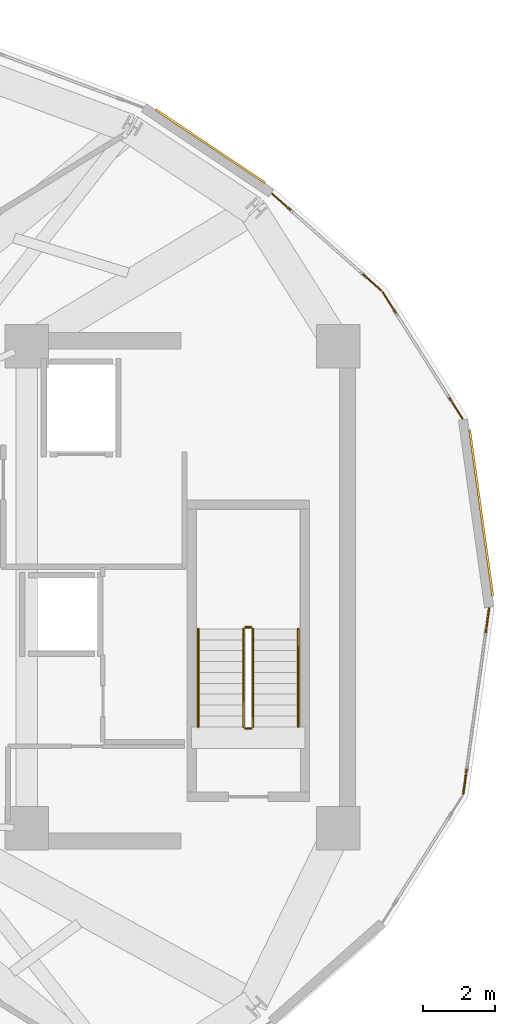
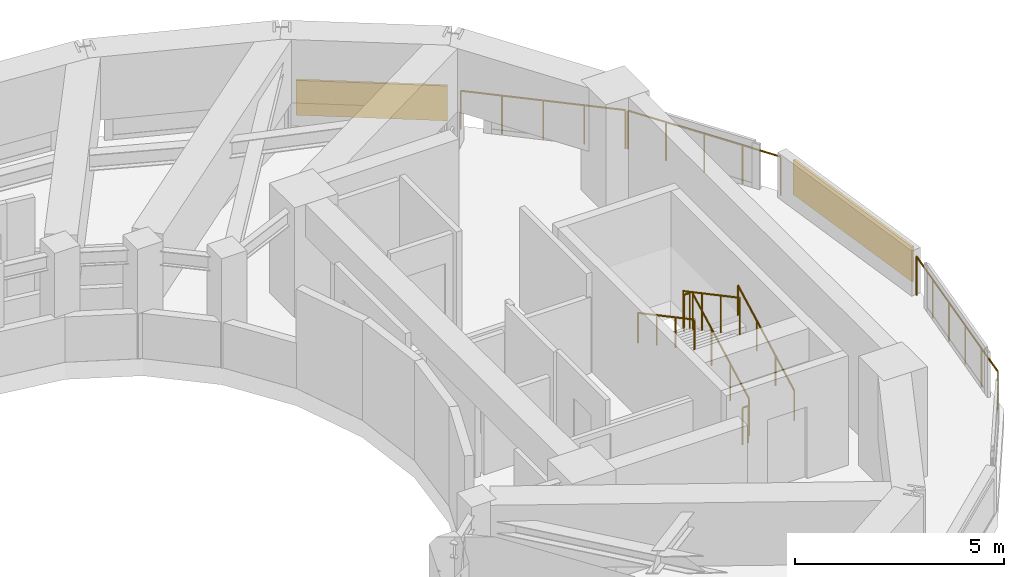
# One storey, part 21 of 21: 9 railings, 2 shading devices.
"""IFC4 building model written with IfcOpenShell, lengths in metres."""

from ifc_helpers import new_model, si_unit, direction, frame, origin, origin_2d, place, context, subcontext, project, spatial, rectangle, circle, extrude, material, layer, layer_set, type_object, element, save


model = new_model("IFC4")

# Units and contexts
model_context = context("Model", 3, precision=1e-05, world=origin(), true_north=direction((0.0, 1.0)))
body_context = subcontext(model_context, "Body", "Model", "MODEL_VIEW")
ifc_project = project(units=[si_unit("LENGTHUNIT", "METRE"), si_unit("AREAUNIT", "SQUARE_METRE"), si_unit("VOLUMEUNIT", "CUBIC_METRE"), si_unit("PLANEANGLEUNIT", "RADIAN"), si_unit("MASSUNIT", "GRAM", prefix="KILO")], contexts=[model_context])

# Site, building, storey
site_placement = place(None, origin())
site = spatial("IfcSite", under=ifc_project, at=site_placement, CompositionType="ELEMENT")
building_placement = place(site_placement, origin())
building = spatial("IfcBuilding", under=site, at=building_placement, Name="Solvane Sanctuary Tower", CompositionType="ELEMENT")
storey_placement = place(building_placement, frame((0.0, 0.0, 260.39990234375)))
storey = spatial("IfcBuildingStorey", under=building, at=storey_placement, Name="L79", CompositionType="ELEMENT", Elevation=260.39990234375)

# Railings
ifc_material_1 = material(Name="Architectural Stainless Steel 316", Category="steel")
railing_type_1 = type_object("IfcRailingType", Name="Railing GR-BALC-1150", PredefinedType="BALUSTRADE", material=ifc_material_1)
railing_1_placement = place(storey_placement, frame((52.123291015625, 28.19970703125, 0.0)))
element("IfcRailing", 1, at=railing_1_placement, inside=storey, type_object=railing_type_1, Name="L79 Crown Curtain-Wall Sill Guard 01", PredefinedType="BALUSTRADE", context=body_context, shape_type="SweptSolid", body=[
    extrude(circle(Radius=0.02392578125, at=origin_2d()), frame((0.0, 0.0, 1.1259765625), z_axis=(-0.533446115447, 0.845834051049, 0.0), x_axis=(-0.845834051049, -0.533446115447, 0.0)), (0.0, 0.0, 1.0), 4.1328125),
    extrude(circle(Radius=0.02099609375, at=origin_2d()), origin(), (0.0, 0.0, 1.0), 1.101806640625),
    extrude(circle(Radius=0.02099609375, at=origin_2d()), frame((-0.55126953125, 0.8740234375, 0.0)), (0.0, 0.0, 1.0), 1.101806640625),
    extrude(circle(Radius=0.02099609375, at=origin_2d()), frame((-1.102294921875, 1.747802734375, 0.0)), (0.0, 0.0, 1.0), 1.101806640625),
    extrude(circle(Radius=0.02099609375, at=origin_2d()), frame((-1.6533203125, 2.62158203125, 0.0)), (0.0, 0.0, 1.0), 1.101806640625),
    extrude(circle(Radius=0.02099609375, at=origin_2d()), frame((-2.20458984375, 3.49560546875, 0.0)), (0.0, 0.0, 1.0), 1.101806640625),
])
railing_2_placement = place(storey_placement, frame((49.880126953125, 31.740478515625, 0.0)))
element("IfcRailing", 2, at=railing_2_placement, inside=storey, type_object=railing_type_1, Name="L79 Crown Curtain-Wall Sill Guard 02", PredefinedType="BALUSTRADE", context=body_context, shape_type="SweptSolid", body=[
    extrude(circle(Radius=0.02392578125, at=origin_2d()), frame((0.0, 0.0, 1.1259765625), z_axis=(-0.748352414239, 0.663301337329, 0.0), x_axis=(-0.663301337329, -0.748352414239, 0.0)), (0.0, 0.0, 1.0), 4.0244140625),
    extrude(circle(Radius=0.02099609375, at=origin_2d()), origin(), (0.0, 0.0, 1.0), 1.101806640625),
    extrude(circle(Radius=0.02099609375, at=origin_2d()), frame((-0.7529296875, 0.66748046875, 0.0)), (0.0, 0.0, 1.0), 1.101806640625),
    extrude(circle(Radius=0.02099609375, at=origin_2d()), frame((-1.505859375, 1.334716796875, 0.0)), (0.0, 0.0, 1.0), 1.101806640625),
    extrude(circle(Radius=0.02099609375, at=origin_2d()), frame((-2.2587890625, 2.001953125, 0.0)), (0.0, 0.0, 1.0), 1.101806640625),
    extrude(circle(Radius=0.02099609375, at=origin_2d()), frame((-3.01171875, 2.66943359375, 0.0)), (0.0, 0.0, 1.0), 1.101806640625),
])
railing_3_placement = place(storey_placement, frame((52.143310546875, 17.85546875, 0.0)))
element("IfcRailing", 3, at=railing_3_placement, inside=storey, type_object=railing_type_1, Name="L79 Crown Curtain-Wall Sill Guard 23", PredefinedType="BALUSTRADE", context=body_context, shape_type="SweptSolid", body=[
    extrude(circle(Radius=0.02392578125, at=origin_2d()), frame((0.0, 0.0, 1.1259765625), z_axis=(0.13799867377, 0.990432413665, 0.0), x_axis=(-0.990432413665, 0.13799867377, 0.0)), (0.0, 0.0, 1.0), 5.1640625),
    extrude(circle(Radius=0.02099609375, at=origin_2d()), origin(), (0.0, 0.0, 1.0), 1.101806640625),
    extrude(circle(Radius=0.02099609375, at=origin_2d()), frame((0.142578125, 1.02294921875, 0.0)), (0.0, 0.0, 1.0), 1.101806640625),
    extrude(circle(Radius=0.02099609375, at=origin_2d()), frame((0.28515625, 2.0458984375, 0.0)), (0.0, 0.0, 1.0), 1.101806640625),
    extrude(circle(Radius=0.02099609375, at=origin_2d()), frame((0.427490234375, 3.06884765625, 0.0)), (0.0, 0.0, 1.0), 1.101806640625),
    extrude(circle(Radius=0.02099609375, at=origin_2d()), frame((0.570068359375, 4.091796875, 0.0)), (0.0, 0.0, 1.0), 1.101806640625),
    extrude(circle(Radius=0.02099609375, at=origin_2d()), frame((0.712646484375, 5.11474609375, 0.0)), (0.0, 0.0, 1.0), 1.101806640625),
])
railing_4_placement = place(storey_placement, frame((46.340087890625, 19.699951171875, 0.16015625)))
element("IfcRailing", 4, at=railing_4_placement, inside=storey, type_object=railing_type_1, Name="L79 ST-2 stair guard 1", PredefinedType="BALUSTRADE", context=body_context, shape_type="SweptSolid", body=[
    extrude(circle(Radius=0.02392578125, at=origin_2d()), frame((0.0, 0.0, 1.076171875), z_axis=(0.0, 0.882357358376, 0.470579952952), x_axis=(-1.0, 0.0, 0.0)), (0.0, 0.0, 1.0), 3.059814453125),
    extrude(circle(Radius=0.02099609375, at=origin_2d()), origin(), (0.0, 0.0, 1.0), 1.052001953125),
    extrude(circle(Radius=0.02099609375, at=origin_2d()), frame((0.0, 0.89990234375, 0.47998046875)), (0.0, 0.0, 1.0), 1.052001953125),
    extrude(circle(Radius=0.02099609375, at=origin_2d()), frame((0.0, 1.800048828125, 0.9599609375)), (0.0, 0.0, 1.0), 1.052001953125),
    extrude(circle(Radius=0.02099609375, at=origin_2d()), frame((0.0, 2.699951171875, 1.43994140625)), (0.0, 0.0, 1.0), 1.052001953125),
])
railing_5_placement = place(storey_placement, frame((46.2900390625, 22.449951171875, 1.60009765625)))
element("IfcRailing", 5, at=railing_5_placement, inside=storey, type_object=railing_type_1, Name="L79 ST-2 stair guard 2", PredefinedType="BALUSTRADE", context=body_context, shape_type="SweptSolid", body=[
    extrude(circle(Radius=0.02392578125, at=origin_2d()), frame((0.0, 0.0, 1.076171875), z_axis=(-1.0, 0.0, 0.0), x_axis=(0.0, -1.0, 0.0)), (0.0, 0.0, 1.0), 0.16015625),
    extrude(circle(Radius=0.02099609375, at=origin_2d()), origin(), (0.0, 0.0, 1.0), 1.052001953125),
    extrude(circle(Radius=0.02099609375, at=origin_2d()), frame((-0.16015625, 0.0, 0.0)), (0.0, 0.0, 1.0), 1.052001953125),
])
railing_6_placement = place(storey_placement, frame((46.080078125, 22.39990234375, 1.760009765625)))
element("IfcRailing", 6, at=railing_6_placement, inside=storey, type_object=railing_type_1, Name="L79 ST-2 stair guard 3", PredefinedType="BALUSTRADE", context=body_context, shape_type="SweptSolid", body=[
    extrude(circle(Radius=0.02392578125, at=origin_2d()), frame((0.0, 0.0, 1.076171875), z_axis=(0.0, -0.882324228566, 0.470642067484), x_axis=(1.0, 0.0, 0.0)), (0.0, 0.0, 1.0), 3.06005859375),
    extrude(circle(Radius=0.02099609375, at=origin_2d()), origin(), (0.0, 0.0, 1.0), 1.052001953125),
    extrude(circle(Radius=0.02099609375, at=origin_2d()), frame((0.0, -0.89990234375, 0.47998046875)), (0.0, 0.0, 1.0), 1.052001953125),
    extrude(circle(Radius=0.02099609375, at=origin_2d()), frame((0.0, -1.800048828125, 0.960205078125)), (0.0, 0.0, 1.0), 1.052001953125),
    extrude(circle(Radius=0.02099609375, at=origin_2d()), frame((0.0, -2.699951171875, 1.440185546875)), (0.0, 0.0, 1.0), 1.052001953125),
])
railing_7_placement = place(storey_placement, frame((46.2900390625, 19.64990234375, 0.0)))
element("IfcRailing", 7, at=railing_7_placement, inside=storey, type_object=railing_type_1, Name="L79 ST-2 stair guard 4", PredefinedType="BALUSTRADE", context=body_context, shape_type="SweptSolid", body=[
    extrude(circle(Radius=0.02392578125, at=origin_2d()), frame((0.0, 0.0, 1.076171875), z_axis=(-1.0, 0.0, 0.0), x_axis=(0.0, -1.0, 0.0)), (0.0, 0.0, 1.0), 0.16015625),
    extrude(circle(Radius=0.02099609375, at=origin_2d()), origin(), (0.0, 0.0, 1.0), 1.052001953125),
    extrude(circle(Radius=0.02099609375, at=origin_2d()), frame((-0.16015625, 0.0, 0.0)), (0.0, 0.0, 1.0), 1.052001953125),
])
railing_type_2 = type_object("IfcRailingType", Name="Railing HR-STAIR-920", PredefinedType="HANDRAIL", material=ifc_material_1)
railing_8_placement = place(storey_placement, frame((47.590087890625, 19.699951171875, 0.16015625)))
element("IfcRailing", 8, at=railing_8_placement, inside=storey, type_object=railing_type_2, Name="L79 ST-2 stair handrail 1", PredefinedType="HANDRAIL", context=body_context, shape_type="SweptSolid", body=[
    extrude(circle(Radius=0.02392578125, at=origin_2d()), frame((0.0, 0.0, 0.8759765625), z_axis=(0.0, 0.882357358376, 0.470579952952), x_axis=(-1.0, 0.0, 0.0)), (0.0, 0.0, 1.0), 3.059814453125),
    extrude(circle(Radius=0.02099609375, at=origin_2d()), origin(), (0.0, 0.0, 1.0), 0.851806640625),
    extrude(circle(Radius=0.02099609375, at=origin_2d()), frame((0.0, 0.89990234375, 0.47998046875)), (0.0, 0.0, 1.0), 0.851806640625),
    extrude(circle(Radius=0.02099609375, at=origin_2d()), frame((0.0, 1.800048828125, 0.9599609375)), (0.0, 0.0, 1.0), 0.851806640625),
    extrude(circle(Radius=0.02099609375, at=origin_2d()), frame((0.0, 2.699951171875, 1.43994140625)), (0.0, 0.0, 1.0), 0.851806640625),
])
railing_9_placement = place(storey_placement, frame((44.830078125, 22.39990234375, 1.760009765625)))
element("IfcRailing", 9, at=railing_9_placement, inside=storey, type_object=railing_type_2, Name="L79 ST-2 stair handrail 2", PredefinedType="HANDRAIL", context=body_context, shape_type="SweptSolid", body=[
    extrude(circle(Radius=0.02392578125, at=origin_2d()), frame((0.0, 0.0, 0.8759765625), z_axis=(0.0, -0.882324228566, 0.470642067484), x_axis=(1.0, 0.0, 0.0)), (0.0, 0.0, 1.0), 3.06005859375),
    extrude(circle(Radius=0.02099609375, at=origin_2d()), origin(), (0.0, 0.0, 1.0), 0.851806640625),
    extrude(circle(Radius=0.02099609375, at=origin_2d()), frame((0.0, -0.89990234375, 0.47998046875)), (0.0, 0.0, 1.0), 0.851806640625),
    extrude(circle(Radius=0.02099609375, at=origin_2d()), frame((0.0, -1.800048828125, 0.960205078125)), (0.0, 0.0, 1.0), 0.851806640625),
    extrude(circle(Radius=0.02099609375, at=origin_2d()), frame((0.0, -2.699951171875, 1.440185546875)), (0.0, 0.0, 1.0), 0.851806640625),
])

# Shading devices
ifc_material_2 = material(Name="Anodised Aluminium 6063-T6", Category="aluminium")
ifc_layer = layer(ifc_material_2, 0.06005859375, Name="Anodised Aluminium 6063-T6")
ifc_layer_set = layer_set([ifc_layer], Name="Anodised Aluminium 6063-T6")
shading_device_type = type_object("IfcShadingDeviceType", Name="Shading SHD-LOUVRE", PredefinedType="JALOUSIE", material=ifc_layer_set)
shading_device_1_placement = place(storey_placement, frame((52.63818359375, 25.6064453125, 0.150146484375), z_axis=(0.0, 0.0, 1.0), x_axis=(-0.137952784872, 0.990438806361, 0.0)))
element("IfcShadingDevice", 10, at=shading_device_1_placement, inside=storey, type_object=shading_device_type, Name="L79 Crown Storm Louvre Panel 00", PredefinedType="JALOUSIE", context=body_context, shape_type="SweptSolid", body=[
    extrude(rectangle(XDim=4.624267578125, YDim=0.06005859375, at=origin_2d()), origin(), (0.0, 0.0, 1.0), 1.02001953125),
])
shading_device_2_placement = place(storey_placement, frame((45.164306640625, 35.722900390625, 0.150146484375), z_axis=(0.0, 0.0, 1.0), x_axis=(-0.831257197567, 0.555888002652, 0.0)))
element("IfcShadingDevice", 11, at=shading_device_2_placement, inside=storey, type_object=shading_device_type, Name="L79 Crown Storm Louvre Panel 03", PredefinedType="JALOUSIE", context=body_context, shape_type="SweptSolid", body=[
    extrude(rectangle(XDim=3.63330078125, YDim=0.06005859375, at=origin_2d()), origin(), (0.0, 0.0, 1.0), 1.02001953125),
])

save(model, "model.ifc")
